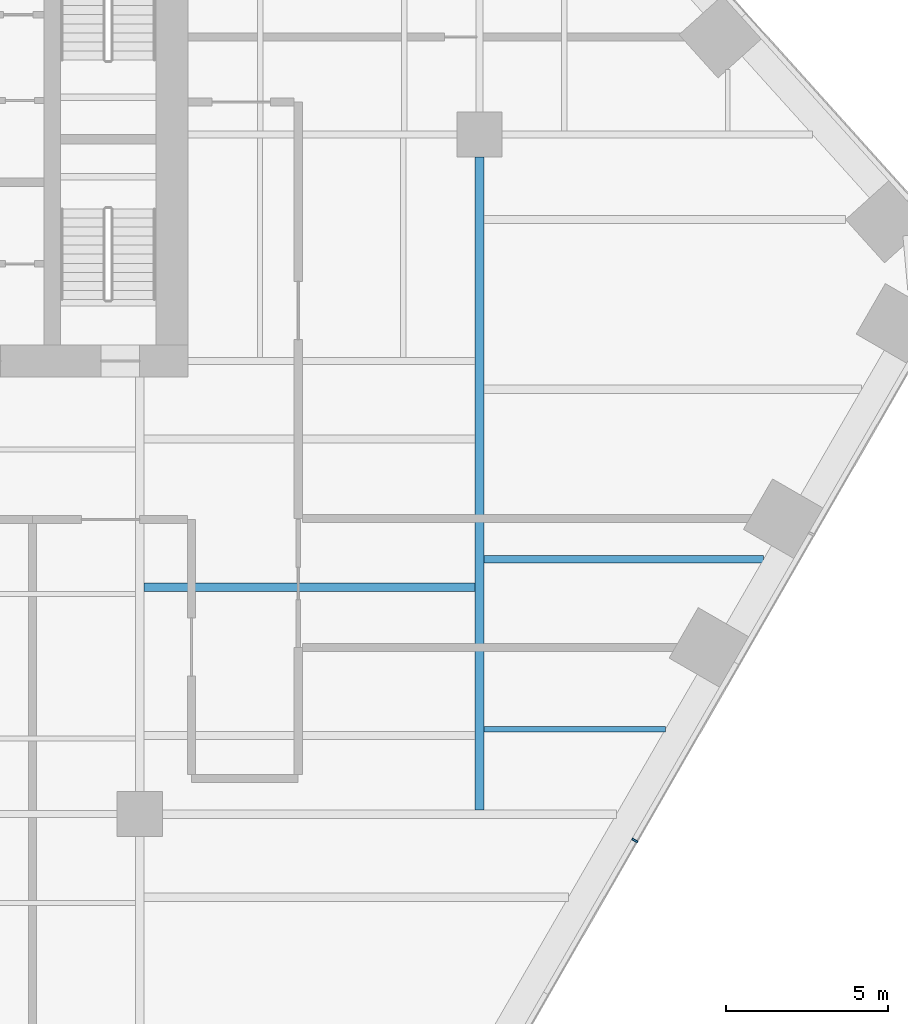
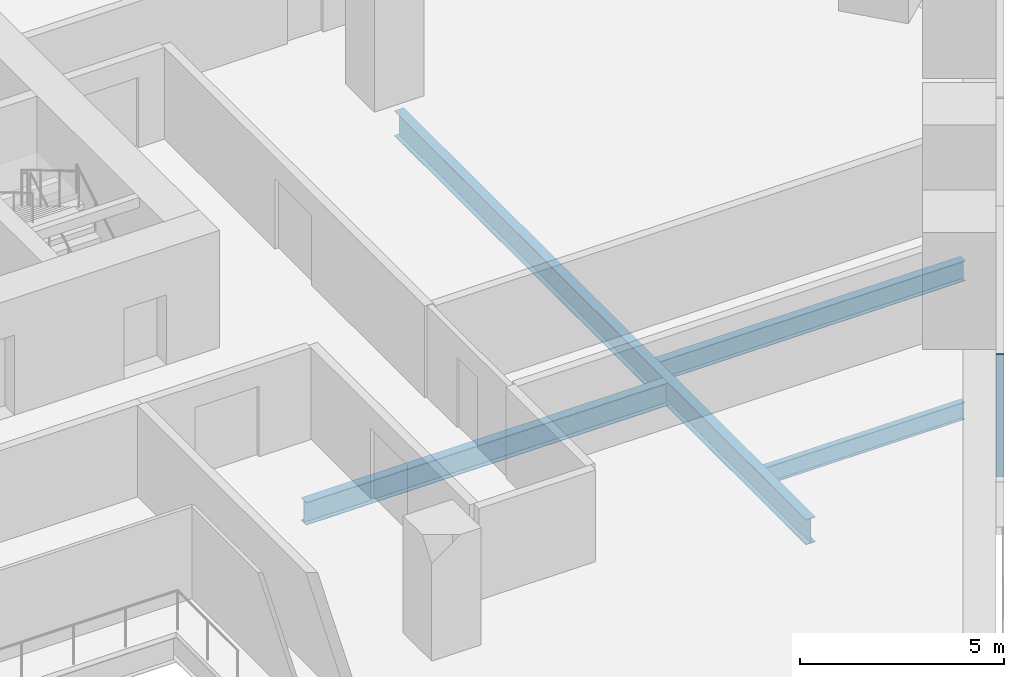
# One storey, part 7 of 20: 4 beams, 1 member, 1 element without a shape of its own.
"""IFC4 building model written with IfcOpenShell, lengths in metres."""

from ifc_helpers import new_model, si_unit, direction, frame, origin, origin_2d, place, context, subcontext, project, spatial, rectangle, i_section, extrude, material, layer, layer_set, material_profile, profile_set, type_object, element, aggregate, save


model = new_model("IFC4")

# Units and contexts
model_context = context("Model", 3, precision=1e-05, world=origin(), true_north=direction((0.0, 1.0)))
body_context = subcontext(model_context, "Body", "Model", "MODEL_VIEW")
ifc_project = project(units=[si_unit("LENGTHUNIT", "METRE"), si_unit("AREAUNIT", "SQUARE_METRE"), si_unit("VOLUMEUNIT", "CUBIC_METRE"), si_unit("PLANEANGLEUNIT", "RADIAN"), si_unit("MASSUNIT", "GRAM", prefix="KILO")], contexts=[model_context])

# Site, building, storey
site_placement = place(None, origin())
site = spatial("IfcSite", under=ifc_project, at=site_placement, CompositionType="ELEMENT")
building_placement = place(site_placement, origin())
building = spatial("IfcBuilding", under=site, at=building_placement, Name="Isthmus Gate Tower", CompositionType="ELEMENT")
storey_placement = place(building_placement, frame((0.0, 0.0, 43.300048828125)))
storey = spatial("IfcBuildingStorey", under=building, at=storey_placement, Name="L08", CompositionType="ELEMENT", Elevation=43.300048828125)

# Curtain wall, member
ifc_material_1 = material(Name="Aluminium, pale champagne anodised", Category="aluminium")
ifc_layer = layer(ifc_material_1, 0.199951171875)
ifc_layer_set = layer_set([ifc_layer], Name="CW-1 UNITISED CURTAIN WALL 200 DEEP")
curtain_wall_type = type_object("IfcCurtainWallType", Name="CW-1 UNITISED CURTAIN WALL 200 DEEP", PredefinedType="NOTDEFINED", material=ifc_layer_set)
curtain_wall_placement = place(storey_placement, origin())
curtain_wall = element("IfcCurtainWall", 1, at=curtain_wall_placement, inside=storey, type_object=curtain_wall_type, Name="CW-1 SE L08", PredefinedType="NOTDEFINED")
ifc_material_2 = material(Name="Aluminium, pale champagne anodised", Category="aluminium")
ifc_material_profile_1 = material_profile(ifc_material_2, rectangle(XDim=0.06005859375, YDim=0.199951171875, at=origin_2d()), Name="60x200")
ifc_profile_set_1 = profile_set([ifc_material_profile_1], Name="Aluminium, pale champagne anodised")
member_type = type_object("IfcMemberType", Name="CW-1 MULLION 60 X 200", PredefinedType="MULLION", material=ifc_profile_set_1)
member_placement = place(storey_placement, frame((28.802001953125, -14.3134765625, 0.0), z_axis=(0.0, 0.0, 1.0), x_axis=(0.5, 0.866025403784, 0.0)))
member = element("IfcMember", 2, at=member_placement, type_object=member_type, Name="CW-1 mullion", PredefinedType="MULLION", context=body_context, shape_type="SweptSolid", body=[
    extrude(rectangle(XDim=0.06005859375, YDim=0.199951171875, at=origin_2d()), origin(), (0.0, 0.0, 1.0), 3.64990234375),
])
aggregate(curtain_wall, [member])

# Beams
ifc_material_3 = material(Name="Structural steel ASTM A992 Gr 50", Category="steel")
ifc_material_profile_2 = material_profile(ifc_material_3, i_section(OverallWidth=0.1650390625, OverallDepth=0.52392578125, WebThickness=0.009521484375, FlangeThickness=0.010986328125, at=origin_2d()), Name="W21X44")
ifc_profile_set_2 = profile_set([ifc_material_profile_2], Name="Structural steel ASTM A992 Gr 50")
beam_type_1 = type_object("IfcBeamType", Name="STEEL FLOOR BEAM W21X44", PredefinedType="JOIST", material=ifc_profile_set_2)
beam_1_placement = place(storey_placement, frame((24.13330078125, -10.875, -0.412109375), z_axis=(1.0, 0.0, 0.0), x_axis=(0.0, 1.0, 0.0)))
element("IfcBeam", 3, at=beam_1_placement, inside=storey, type_object=beam_type_1, Name="str-beam-L08-34-00", PredefinedType="JOIST", context=body_context, shape_type="SweptSolid", body=[
    extrude(i_section(OverallWidth=0.1650390625, OverallDepth=0.52392578125, WebThickness=0.009521484375, FlangeThickness=0.010986328125, at=origin_2d()), origin(), (0.0, 0.0, 1.0), 5.61474609375),
])
ifc_material_4 = material(Name="Structural steel ASTM A992 Gr 50", Category="steel")
ifc_material_profile_3 = material_profile(ifc_material_4, i_section(OverallWidth=0.228515625, OverallDepth=0.603271484375, WebThickness=0.010986328125, FlangeThickness=0.014404296875, at=origin_2d()), Name="W24X68")
ifc_profile_set_3 = profile_set([ifc_material_profile_3], Name="Structural steel ASTM A992 Gr 50")
beam_type_2 = type_object("IfcBeamType", Name="STEEL FLOOR BEAM W24X68", PredefinedType="JOIST", material=ifc_profile_set_3)
beam_2_placement = place(storey_placement, frame((24.13330078125, -5.625, -0.45166015625), z_axis=(1.0, 0.0, 0.0), x_axis=(0.0, 1.0, 0.0)))
element("IfcBeam", 4, at=beam_2_placement, inside=storey, type_object=beam_type_2, Name="str-beam-L08-34-01", PredefinedType="JOIST", context=body_context, shape_type="SweptSolid", body=[
    extrude(i_section(OverallWidth=0.228515625, OverallDepth=0.603271484375, WebThickness=0.010986328125, FlangeThickness=0.014404296875, at=origin_2d()), origin(), (0.0, 0.0, 1.0), 8.645751953125),
])
ifc_material_5 = material(Name="Structural steel ASTM A992 Gr 50", Category="steel")
ifc_material_profile_4 = material_profile(ifc_material_5, i_section(OverallWidth=0.25390625, OverallDepth=0.679443359375, WebThickness=0.010986328125, FlangeThickness=0.015869140625, at=origin_2d()), Name="W27X84")
ifc_profile_set_4 = profile_set([ifc_material_profile_4], Name="Structural steel ASTM A992 Gr 50")
beam_type_3 = type_object("IfcBeamType", Name="STEEL FLOOR BEAM W27X84", PredefinedType="JOIST", material=ifc_profile_set_4)
beam_3_placement = place(storey_placement, frame((13.6318359375, -6.490478515625, -0.48974609375), z_axis=(1.0, 0.0, 0.0), x_axis=(0.0, 1.0, 0.0)))
element("IfcBeam", 5, at=beam_3_placement, inside=storey, type_object=beam_type_3, Name="str-beam-L08-27-01", PredefinedType="JOIST", context=body_context, shape_type="SweptSolid", body=[
    extrude(i_section(OverallWidth=0.25390625, OverallDepth=0.679443359375, WebThickness=0.010986328125, FlangeThickness=0.015869140625, at=origin_2d()), origin(), (0.0, 0.0, 1.0), 10.23486328125),
])
ifc_material_6 = material(Name="Structural steel ASTM A992 Gr 50", Category="steel")
ifc_material_profile_5 = material_profile(ifc_material_6, i_section(OverallWidth=0.2666015625, OverallDepth=0.7587890625, WebThickness=0.014404296875, FlangeThickness=0.01904296875, at=origin_2d()), Name="W30X108")
ifc_profile_set_5 = profile_set([ifc_material_profile_5], Name="Structural steel ASTM A992 Gr 50")
beam_type_4 = type_object("IfcBeamType", Name="STEEL GIRDER W30X108", PredefinedType="BEAM", material=ifc_profile_set_5)
beam_4_placement = place(storey_placement, frame((24.0, -13.36669921875, -0.529541015625), z_axis=(0.0, 1.0, 0.0), x_axis=(-1.0, 0.0, 0.0)))
element("IfcBeam", 6, at=beam_4_placement, inside=storey, type_object=beam_type_4, Name="str-girder-L08-35", PredefinedType="BEAM", context=body_context, shape_type="SweptSolid", body=[
    extrude(i_section(OverallWidth=0.2666015625, OverallDepth=0.7587890625, WebThickness=0.014404296875, FlangeThickness=0.01904296875, at=origin_2d()), origin(), (0.0, 0.0, 1.0), 20.166748046875),
])

save(model, "model.ifc")
